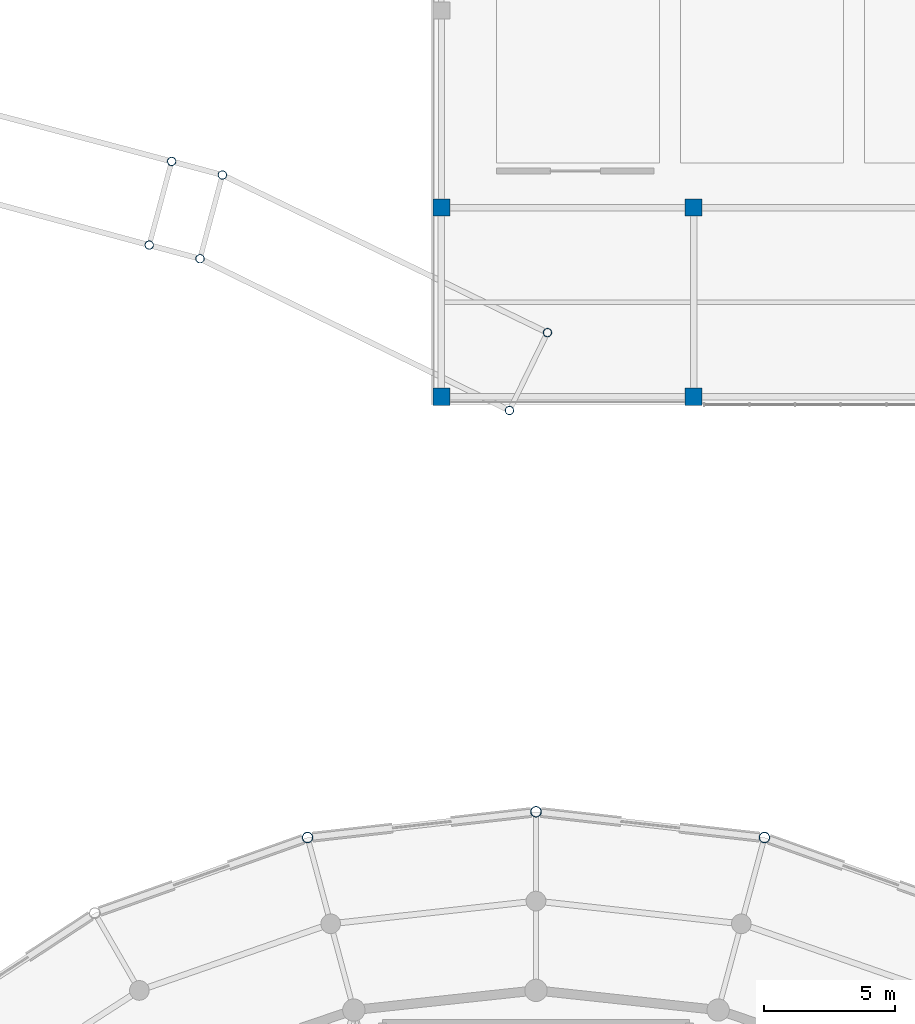
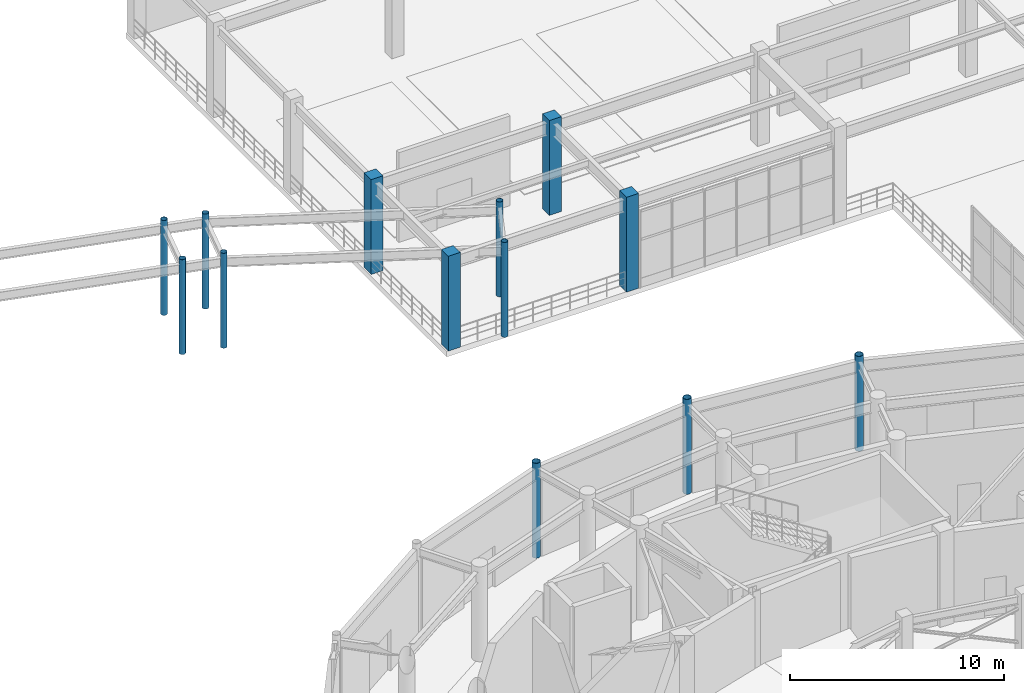
# One storey, part 13 of 93: 13 columns.
"""IFC4 building model written with IfcOpenShell, lengths in metres."""

from ifc_helpers import new_model, si_unit, direction, frame, origin, origin_2d, place, context, subcontext, project, spatial, rectangle, hollow_circle, extrude, material, material_profile, profile_set, type_object, element, save


model = new_model("IFC4")

# Units and contexts
model_context = context("Model", 3, precision=1e-05, world=origin(), true_north=direction((0.0, 1.0)))
body_context = subcontext(model_context, "Body", "Model", "MODEL_VIEW")
ifc_project = project(units=[si_unit("LENGTHUNIT", "METRE"), si_unit("AREAUNIT", "SQUARE_METRE"), si_unit("VOLUMEUNIT", "CUBIC_METRE"), si_unit("PLANEANGLEUNIT", "RADIAN"), si_unit("MASSUNIT", "GRAM", prefix="KILO")], contexts=[model_context])

# Site, building, storey
site_placement = place(None, origin())
site = spatial("IfcSite", under=ifc_project, at=site_placement, CompositionType="ELEMENT")
building_placement = place(site_placement, origin())
building = spatial("IfcBuilding", under=site, at=building_placement, Name="Cinderbank Siding Concert Hall", CompositionType="ELEMENT")
storey_placement = place(building_placement, origin())
storey = spatial("IfcBuildingStorey", under=building, at=storey_placement, Name="L01", CompositionType="ELEMENT", Elevation=0.0)

# Columns
ifc_material_1 = material(Name="Structural steel hollow section AS/NZS 1163 Grade C350L0 (350 MPa)", Category="steel")
ifc_material_profile_1 = material_profile(ifc_material_1, hollow_circle(Radius=0.161865234375, WallThickness=0.0126953125, at=origin_2d()), Name="323.9x12.7CHS", Category="LoadBearing")
ifc_profile_set_1 = profile_set([ifc_material_profile_1], Name="Structural steel hollow section AS/NZS 1163 Grade C350L0 (350 MPa)")
column_type_1 = type_object("IfcColumnType", Name="C-CHS323 323.9x12.7CHS", PredefinedType="COLUMN", material=ifc_profile_set_1)
for number, where, z_axis, x_axis, name in (
    (1, (108.1279296875, 97.56103515625, 0.0), (0.0, 0.0, 1.0), (1.0, 0.0, 0.0), "L01 Column COL-BRL-07"),
    (2, (107.27392578125, 94.3740234375, 0.0), (0.0, 0.0, 1.0), (1.0, 0.0, 0.0), "L01 Column COL-BRR-07"),
    (3, (110.06005859375, 97.0439453125, 0.0), (0.0, 0.0, 1.0), (1.0, 0.0, 0.0), "L01 Column COL-BRL-08"),
    (4, (109.2060546875, 93.85595703125, 0.0), (0.0, 0.0, 1.0), (1.0, 0.0, 0.0), "L01 Column COL-BRR-08"),
    (5, (122.43603515625, 91.041015625, 0.0), (0.0, 0.0, 1.0), (1.0, 0.0, 0.0), "L01 Column COL-BRL-09"),
    (6, (120.989013671875, 88.074951171875, 0.0), (0.0, 0.0, 1.0), (1.0, 0.0, 0.0), "L01 Column COL-BRR-09"),
):
    element("IfcColumn", number, at=place(storey_placement, frame(where, z_axis=z_axis, x_axis=x_axis)), inside=storey, type_object=column_type_1, Name=name, PredefinedType="COLUMN", context=body_context, shape_type="SweptSolid", body=[
        extrude(hollow_circle(Radius=0.161865234375, WallThickness=0.0126953125, at=origin_2d()), origin(), (0.0, 0.0, 1.0), 5.39990234375),
    ])
ifc_material_profile_2 = material_profile(ifc_material_1, hollow_circle(Radius=0.203125, WallThickness=0.01611328125, at=origin_2d()), Name="406.4x16.0CHS", Category="LoadBearing")
ifc_profile_set_2 = profile_set([ifc_material_profile_2], Name="Structural steel hollow section AS/NZS 1163 Grade C350L0 (350 MPa)")
column_type_2 = type_object("IfcColumnType", Name="C-CHS406 406.4x16.0CHS", PredefinedType="COLUMN", material=ifc_profile_set_2)
for number, where, z_axis, x_axis, name in (
    (7, (130.696044921875, 71.819091796875, 0.0), (0.0, 0.0, 1.0), (1.0, 0.0, 0.0), "L01 Column COL-E4-06"),
    (8, (122.0, 72.800048828125, 0.0), (0.0, 0.0, 1.0), (1.0, 0.0, 0.0), "L01 Column COL-E4-07"),
    (9, (113.303955078125, 71.819091796875, 0.0), (0.0, 0.0, 1.0), (1.0, 0.0, 0.0), "L01 Column COL-E4-08"),
):
    element("IfcColumn", number, at=place(storey_placement, frame(where, z_axis=z_axis, x_axis=x_axis)), inside=storey, type_object=column_type_2, Name=name, PredefinedType="COLUMN", context=body_context, shape_type="SweptSolid", body=[
        extrude(hollow_circle(Radius=0.203125, WallThickness=0.01611328125, at=origin_2d()), origin(), (0.0, 0.0, 1.0), 5.39990234375),
    ])
ifc_material_2 = material(Name="Reinforced concrete AS 3600 N50 (50 MPa)", Category="concrete")
ifc_material_profile_3 = material_profile(ifc_material_2, rectangle(XDim=0.64990234375, YDim=0.64990234375, at=origin_2d()), Name="RC-COL-650x650", Category="LoadBearing")
ifc_profile_set_3 = profile_set([ifc_material_profile_3], Name="Reinforced concrete AS 3600 N50 (50 MPa)")
column_type_3 = type_object("IfcColumnType", Name="C-RC650 RC-COL-650x650", PredefinedType="COLUMN", material=ifc_profile_set_3)
for number, where, z_axis, x_axis, name in (
    (10, (118.39990234375, 88.60009765625, 0.0), (0.0, 0.0, 1.0), (1.0, 0.0, 0.0), "L01 Column COL-V3-1-1"),
    (11, (118.39990234375, 95.800048828125, 0.0), (0.0, 0.0, 1.0), (1.0, 0.0, 0.0), "L01 Column COL-V3-1-2"),
    (12, (128.0, 88.60009765625, 0.0), (0.0, 0.0, 1.0), (1.0, 0.0, 0.0), "L01 Column COL-V3-2-1"),
    (13, (128.0, 95.800048828125, 0.0), (0.0, 0.0, 1.0), (1.0, 0.0, 0.0), "L01 Column COL-V3-2-2"),
):
    element("IfcColumn", number, at=place(storey_placement, frame(where, z_axis=z_axis, x_axis=x_axis)), inside=storey, type_object=column_type_3, Name=name, PredefinedType="COLUMN", context=body_context, shape_type="SweptSolid", body=[
        extrude(rectangle(XDim=0.64990234375, YDim=0.64990234375, at=origin_2d()), origin(), (0.0, 0.0, 1.0), 5.39990234375),
    ])

save(model, "model.ifc")
